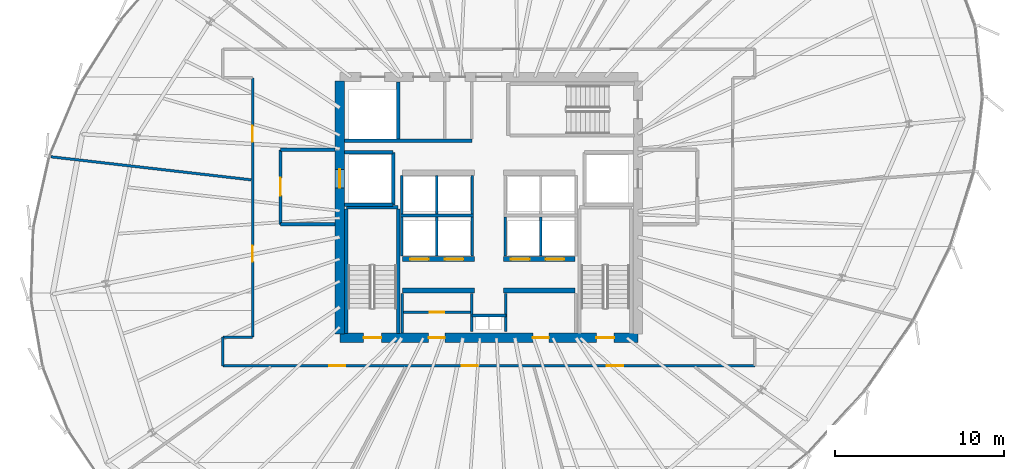
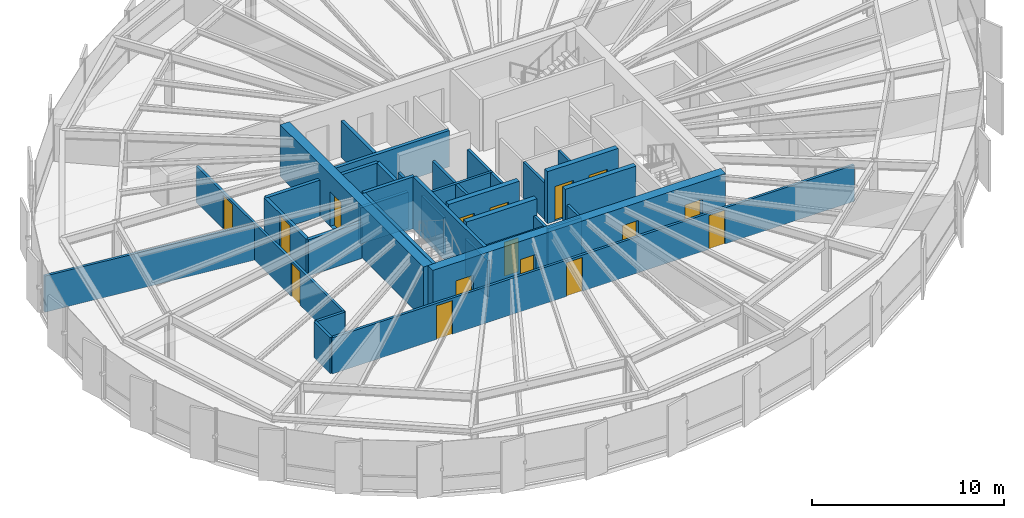
# One storey, part 29 of 35: 36 walls, 16 doors, 16 openings.
"""IFC4 building model written with IfcOpenShell, lengths in metres."""

from ifc_helpers import new_model, si_unit, direction, frame, frame_2d, origin, place, context, subcontext, project, spatial, rectangle, extrude, source, transform, mapped, material, layer, layer_set, type_object, element, fill, save


model = new_model("IFC4")

# Units and contexts
model_context = context("Model", 3, precision=1e-05, world=origin(), true_north=direction((0.0, 1.0)))
body_context = subcontext(model_context, "Body", "Model", "MODEL_VIEW")
ifc_project = project(units=[si_unit("LENGTHUNIT", "METRE"), si_unit("AREAUNIT", "SQUARE_METRE"), si_unit("VOLUMEUNIT", "CUBIC_METRE"), si_unit("PLANEANGLEUNIT", "RADIAN"), si_unit("MASSUNIT", "GRAM", prefix="KILO"), si_unit("THERMODYNAMICTEMPERATUREUNIT", "KELVIN")], contexts=[model_context])

# Site, building, storey
site_placement = place(None, origin())
site = spatial("IfcSite", under=ifc_project, at=site_placement, CompositionType="ELEMENT")
building_placement = place(site_placement, origin())
building = spatial("IfcBuilding", under=site, at=building_placement, Name="Kethvar Cultural Tower", CompositionType="ELEMENT")
storey_placement = place(building_placement, frame((0.0, 0.0, 146.550048828125)))
storey = spatial("IfcBuildingStorey", under=building, at=storey_placement, Name="L37", CompositionType="ELEMENT", Elevation=146.550048828125)

# Wall, openings, doors
ifc_material_1 = material(Name="Concrete C60/75", Category="concrete")
ifc_layer_1 = layer(ifc_material_1, 0.550048828125, Name="Concrete C60/75", Category="concrete")
ifc_layer_set_1 = layer_set([ifc_layer_1], Name="Concrete C60/75 (550 mm)")
wall_type_1 = type_object("IfcWallType", Name="WL-CORE-550", PredefinedType="SHEAR", material=ifc_layer_set_1)
wall_1_placement = place(storey_placement, frame((38.0, 20.10009765625, 0.0), z_axis=(0.0, 0.0, 1.0), x_axis=(1.0, 0.0, 0.0)))
wall_1 = element("IfcWall", 1, at=wall_1_placement, inside=storey, type_object=wall_type_1, Name="L37 Core Shear Wall S", PredefinedType="SHEAR", context=body_context, shape_type="SweptSolid", body=[
    extrude(rectangle(XDim=17.60009765625, YDim=0.550048828125, at=frame_2d((8.800048828125, 0.0))), origin(), (0.0, 0.0, 1.0), 3.300048828125),
])
opening_1_placement = place(wall_1_placement, frame((1.39990234375, 0.0, 0.0)))
opening_1 = element("IfcOpeningElement", 2, at=opening_1_placement, cuts=wall_1, Name="Opening D-L37-S1", PredefinedType="OPENING", context=body_context, shape_type="SweptSolid", body=[
    extrude(rectangle(XDim=1.050048828125, YDim=2.14990234375, at=frame_2d((0.52490234375, 1.074951171875))), frame((0.0, 0.284912109375, 0.0), z_axis=(0.0, -1.0, 0.0), x_axis=(1.0, 0.0, 0.0)), (0.0, 0.0, 1.0), 0.570068359375),
])
opening_2_placement = place(wall_1_placement, frame((15.14990234375, 0.0, 0.0)))
opening_2 = element("IfcOpeningElement", 3, at=opening_2_placement, cuts=wall_1, Name="Opening D-L37-ST2", PredefinedType="OPENING", context=body_context, shape_type="SweptSolid", body=[
    extrude(rectangle(XDim=1.050048828125, YDim=2.14990234375, at=frame_2d((0.52490234375, 1.074951171875))), frame((0.0, 0.284912109375, 0.0), z_axis=(0.0, -1.0, 0.0), x_axis=(1.0, 0.0, 0.0)), (0.0, 0.0, 1.0), 0.570068359375),
])
opening_3_placement = place(wall_1_placement, frame((5.25, 0.0, 0.0)))
opening_3 = element("IfcOpeningElement", 4, at=opening_3_placement, cuts=wall_1, Name="Opening D-L37-V1", PredefinedType="OPENING", context=body_context, shape_type="SweptSolid", body=[
    extrude(rectangle(XDim=0.949951171875, YDim=2.14990234375, at=frame_2d((0.47509765625, 1.074951171875))), frame((0.0, 0.284912109375, 0.0), z_axis=(0.0, -1.0, 0.0), x_axis=(1.0, 0.0, 0.0)), (0.0, 0.0, 1.0), 0.570068359375),
])
opening_4_placement = place(wall_1_placement, frame((11.39990234375, 0.0, 0.0)))
opening_4 = element("IfcOpeningElement", 5, at=opening_4_placement, cuts=wall_1, Name="Opening D-L37-V2", PredefinedType="OPENING", context=body_context, shape_type="SweptSolid", body=[
    extrude(rectangle(XDim=0.949951171875, YDim=2.14990234375, at=frame_2d((0.47509765625, 1.074951171875))), frame((0.0, 0.284912109375, 0.0), z_axis=(0.0, -1.0, 0.0), x_axis=(1.0, 0.0, 0.0)), (0.0, 0.0, 1.0), 0.570068359375),
])
ifc_material_2 = material(Name="Steel S355J2", Category="steel")
door_type_1 = type_object("IfcDoorType", Name="DR-FD60-1050", OperationType="NOTDEFINED", PredefinedType="DOOR", material=ifc_material_2)
shared_shape_1 = source(origin(), body_context, "Body", "SweptSolid", [
    extrude(rectangle(XDim=1.050048828125, YDim=2.14990234375, at=frame_2d((0.52490234375, 1.074951171875))), frame((0.0, 0.02490234375, 0.0), z_axis=(0.0, -1.0, 0.0), x_axis=(1.0, 0.0, 0.0)), (0.0, 0.0, 1.0), 0.050048828125),
])
door_1_placement = place(opening_1_placement, origin())
door_1 = element("IfcDoor", 6, at=door_1_placement, inside=storey, type_object=door_type_1, Name="L37 Exit Stair 1 Door", OperationType="SINGLE_SWING_LEFT", OverallHeight=2.14990234375, OverallWidth=1.050048828125, PredefinedType="DOOR", context=body_context, shape_type="MappedRepresentation", body=[
    mapped(shared_shape_1, transform((0.0, 0.0, 0.0), scale=1.0)),
])
fill(opening_1, door_1)
door_2_placement = place(opening_2_placement, origin())
door_2 = element("IfcDoor", 7, at=door_2_placement, inside=storey, type_object=door_type_1, Name="L37 Exit Stair 2 Door", OperationType="SINGLE_SWING_RIGHT", OverallHeight=2.14990234375, OverallWidth=1.050048828125, PredefinedType="DOOR", context=body_context, shape_type="MappedRepresentation", body=[
    mapped(shared_shape_1, transform((0.0, 0.0, 0.0), scale=1.0)),
])
fill(opening_2, door_2)
ifc_material_3 = material(Name="Architectural Oak Timber", Category="wood")
door_type_2 = type_object("IfcDoorType", Name="DR-FD30-950", OperationType="NOTDEFINED", PredefinedType="DOOR", material=ifc_material_3)
shared_shape_2 = source(origin(), body_context, "Body", "SweptSolid", [
    extrude(rectangle(XDim=0.949951171875, YDim=2.14990234375, at=frame_2d((0.47509765625, 1.074951171875))), frame((0.0, 0.02490234375, 0.0), z_axis=(0.0, -1.0, 0.0), x_axis=(1.0, 0.0, 0.0)), (0.0, 0.0, 1.0), 0.050048828125),
])
door_3_placement = place(opening_3_placement, origin())
door_3 = element("IfcDoor", 8, at=door_3_placement, inside=storey, type_object=door_type_2, Name="L37 Reclaimed West South Door", OperationType="SINGLE_SWING_LEFT", OverallHeight=2.14990234375, OverallWidth=0.949951171875, PredefinedType="DOOR", context=body_context, shape_type="MappedRepresentation", body=[
    mapped(shared_shape_2, transform((0.0, 0.0, 0.0), scale=1.0)),
])
fill(opening_3, door_3)
door_4_placement = place(opening_4_placement, origin())
door_4 = element("IfcDoor", 9, at=door_4_placement, inside=storey, type_object=door_type_2, Name="L37 Reclaimed East Server Door", OperationType="SINGLE_SWING_RIGHT", OverallHeight=2.14990234375, OverallWidth=0.949951171875, PredefinedType="DOOR", context=body_context, shape_type="MappedRepresentation", body=[
    mapped(shared_shape_2, transform((0.0, 0.0, 0.0), scale=1.0)),
])
fill(opening_4, door_4)

# Wall, opening, door
wall_2_placement = place(storey_placement, frame((38.0, 35.260009765625, 0.0), z_axis=(0.0, 0.0, 1.0), x_axis=(0.0, -1.0, 0.0)))
wall_2 = element("IfcWall", 10, at=wall_2_placement, inside=storey, type_object=wall_type_1, Name="L37 Core Shear Wall W", PredefinedType="SHEAR", context=body_context, shape_type="SweptSolid", body=[
    extrude(rectangle(XDim=14.919921875, YDim=0.550048828125, at=frame_2d((7.4599609375, 0.0))), origin(), (0.0, 0.0, 1.0), 3.300048828125),
])
opening_5_placement = place(wall_2_placement, frame((5.2099609375, 0.0, 0.0)))
opening_5 = element("IfcOpeningElement", 11, at=opening_5_placement, cuts=wall_2, Name="Opening LD-1", PredefinedType="OPENING", context=body_context, shape_type="SweptSolid", body=[
    extrude(rectangle(XDim=1.10009765625, YDim=2.199951171875, at=frame_2d((0.550048828125, 1.10009765625))), frame((0.0, 0.284912109375, 0.0), z_axis=(0.0, -1.0, 0.0), x_axis=(1.0, 0.0, 0.0)), (0.0, 0.0, 1.0), 0.570068359375),
])
door_type_3 = type_object("IfcDoorType", Name="DR-LIFT-SLIDE-1100", OperationType="NOTDEFINED", PredefinedType="DOOR", material=ifc_material_2)
shared_shape_3 = source(origin(), body_context, "Body", "SweptSolid", [
    extrude(rectangle(XDim=1.10009765625, YDim=2.199951171875, at=frame_2d((0.550048828125, 1.10009765625))), frame((0.0, 0.02490234375, 0.0), z_axis=(0.0, -1.0, 0.0), x_axis=(1.0, 0.0, 0.0)), (0.0, 0.0, 1.0), 0.050048828125),
])
door_5_placement = place(opening_5_placement, origin())
door_5 = element("IfcDoor", 12, at=door_5_placement, inside=storey, type_object=door_type_3, Name="L37 Firefighting Lift Landing Door FFL-01", OperationType="SLIDING_TO_LEFT", OverallHeight=2.199951171875, OverallWidth=1.10009765625, PredefinedType="DOOR", context=body_context, shape_type="MappedRepresentation", body=[
    mapped(shared_shape_3, transform((0.0, 0.0, 0.0), scale=1.0)),
])
fill(opening_5, door_5)

# Walls
ifc_material_4 = material(Name="Gypsum Fireboard Partition")
ifc_layer_2 = layer(ifc_material_4, 0.14990234375, Name="Gypsum Fireboard Partition")
ifc_layer_set_2 = layer_set([ifc_layer_2], Name="Gypsum Fireboard Partition (150 mm)")
wall_type_2 = type_object("IfcWallType", Name="WL-FIRE-150", PredefinedType="PARTITIONING", material=ifc_layer_set_2)
wall_3_placement = place(storey_placement, frame((45.800048828125, 21.419921875, 0.0), z_axis=(0.0, 0.0, 1.0), x_axis=(1.0, 0.0, 0.0)))
element("IfcWall", 13, at=wall_3_placement, inside=storey, type_object=wall_type_2, Name="L37 Core Riser Wall", PredefinedType="PARTITIONING", context=body_context, shape_type="SweptSolid", body=[
    extrude(rectangle(XDim=2.0, YDim=0.14990234375, at=frame_2d((1.0, 0.0))), origin(), (0.0, 0.0, 1.0), 2.304931640625),
])
for number, where, z_axis, x_axis, name in (
    (14, (45.800048828125, 20.47998046875, 0.0), (0.0, 0.0, 1.0), (0.0, 1.0, 0.0), "L37 Core Riser West Wall"),
    (15, (47.800048828125, 20.47998046875, 0.0), (0.0, 0.0, 1.0), (0.0, 1.0, 0.0), "L37 Core Riser East Wall"),
):
    element("IfcWall", number, at=place(storey_placement, frame(where, z_axis=z_axis, x_axis=x_axis)), inside=storey, type_object=wall_type_2, Name=name, PredefinedType="PARTITIONING", context=body_context, shape_type="SweptSolid", body=[
        extrude(rectangle(XDim=2.239990234375, YDim=0.14990234375, at=frame_2d((1.1201171875, 0.0))), origin(), (0.0, 0.0, 1.0), 2.304931640625),
    ])
wall_4_placement = place(storey_placement, frame((41.679931640625, 20.385009765625, 0.0), z_axis=(0.0, 0.0, 1.0), x_axis=(0.0, 1.0, 0.0)))
element("IfcWall", 16, at=wall_4_placement, inside=storey, type_object=wall_type_2, Name="L37 Reclaimed West Outer Wall", PredefinedType="PARTITIONING", context=body_context, shape_type="SweptSolid", body=[
    extrude(rectangle(XDim=2.344970703125, YDim=0.14990234375, at=frame_2d((1.17236328125, 0.0))), origin(), (0.0, 0.0, 1.0), 2.304931640625),
])

# Wall, opening, door
wall_5_placement = place(storey_placement, frame((41.760009765625, 21.6201171875, 0.0), z_axis=(0.0, 0.0, 1.0), x_axis=(1.0, 0.0, 0.0)))
wall_5 = element("IfcWall", 17, at=wall_5_placement, inside=storey, type_object=wall_type_2, Name="L37 Vault Gallery Wall W", PredefinedType="PARTITIONING", context=body_context, shape_type="SweptSolid", body=[
    extrude(rectangle(XDim=3.9599609375, YDim=0.14990234375, at=frame_2d((1.97998046875, 0.0))), origin(), (0.0, 0.0, 1.0), 2.304931640625),
])
opening_6_placement = place(wall_5_placement, frame((1.550048828125, 0.0, 0.0)))
opening_6 = element("IfcOpeningElement", 18, at=opening_6_placement, cuts=wall_5, Name="Opening D-L37-V3", PredefinedType="OPENING", context=body_context, shape_type="SweptSolid", body=[
    extrude(rectangle(XDim=0.85009765625, YDim=2.14990234375, at=frame_2d((0.425048828125, 1.074951171875))), frame((0.0, 0.0849609375, 0.0), z_axis=(0.0, -1.0, 0.0), x_axis=(1.0, 0.0, 0.0)), (0.0, 0.0, 1.0), 0.169921875),
])
door_type_4 = type_object("IfcDoorType", Name="DR-FD30-850", OperationType="NOTDEFINED", PredefinedType="DOOR", material=ifc_material_2)
shared_shape_4 = source(origin(), body_context, "Body", "SweptSolid", [
    extrude(rectangle(XDim=0.85009765625, YDim=2.14990234375, at=frame_2d((0.425048828125, 1.074951171875))), frame((0.0, 0.02490234375, 0.0), z_axis=(0.0, -1.0, 0.0), x_axis=(1.0, 0.0, 0.0)), (0.0, 0.0, 1.0), 0.050048828125),
])
door_6_placement = place(opening_6_placement, origin())
door_6 = element("IfcDoor", 19, at=door_6_placement, inside=storey, type_object=door_type_4, Name="L37 Inner Vault Gallery Door", OperationType="SINGLE_SWING_LEFT", OverallHeight=2.14990234375, OverallWidth=0.85009765625, PredefinedType="DOOR", context=body_context, shape_type="MappedRepresentation", body=[
    mapped(shared_shape_4, transform((0.0, 0.0, 0.0), scale=1.0)),
])
fill(opening_6, door_6)

# Walls
wall_6_placement = place(storey_placement, frame((41.580078125, 27.324951171875, 0.0), z_axis=(0.0, 0.0, 1.0), x_axis=(1.0, 0.0, 0.0)))
element("IfcWall", 20, at=wall_6_placement, inside=storey, type_object=wall_type_2, Name="L37 Mid-High Lift Shaft Back Wall W", PredefinedType="PARTITIONING", context=body_context, shape_type="SweptSolid", body=[
    extrude(rectangle(XDim=4.31982421875, YDim=0.14990234375, at=frame_2d((2.159912109375, 0.0))), origin(), (0.0, 0.0, 1.0), 2.304931640625),
])
for number, where, z_axis, x_axis, name in (
    (21, (41.64990234375, 24.919921875, 0.0), (0.0, 0.0, 1.0), (0.0, 1.0, 0.0), "L37 Mid-Rise Lift Shaft Outer Wall W"),
    (22, (43.72509765625, 24.919921875, 0.0), (0.0, 0.0, 1.0), (0.0, 1.0, 0.0), "L37 Mid-Rise Lift Shaft Divider W"),
    (23, (45.824951171875, 24.919921875, 0.0), (0.0, 0.0, 1.0), (0.0, 1.0, 0.0), "L37 Mid-Rise Lift Shaft Concourse Wall W"),
    (24, (47.77490234375, 24.919921875, 0.0), (0.0, 0.0, 1.0), (0.0, 1.0, 0.0), "L37 Mid-Rise Lift Shaft Concourse Wall E"),
    (25, (49.875, 24.919921875, 0.0), (0.0, 0.0, 1.0), (0.0, 1.0, 0.0), "L37 Mid-Rise Lift Shaft Divider E"),
):
    element("IfcWall", number, at=place(storey_placement, frame(where, z_axis=z_axis, x_axis=x_axis)), inside=storey, type_object=wall_type_2, Name=name, PredefinedType="PARTITIONING", context=body_context, shape_type="SweptSolid", body=[
        extrude(rectangle(XDim=2.320068359375, YDim=0.14990234375, at=frame_2d((1.16015625, 0.0))), origin(), (0.0, 0.0, 1.0), 2.304931640625),
    ])
for number, where, z_axis, x_axis, name in (
    (26, (41.64990234375, 27.409912109375, 0.0), (0.0, 0.0, 1.0), (0.0, 1.0, 0.0), "L37 High-Rise Lift Shaft Outer Wall W"),
    (27, (43.72509765625, 27.409912109375, 0.0), (0.0, 0.0, 1.0), (0.0, 1.0, 0.0), "L37 High-Rise Lift Shaft Divider W"),
    (28, (45.824951171875, 27.409912109375, 0.0), (0.0, 0.0, 1.0), (0.0, 1.0, 0.0), "L37 High-Rise Lift Shaft Concourse Wall W"),
):
    element("IfcWall", number, at=place(storey_placement, frame(where, z_axis=z_axis, x_axis=x_axis)), inside=storey, type_object=wall_type_2, Name=name, PredefinedType="PARTITIONING", context=body_context, shape_type="SweptSolid", body=[
        extrude(rectangle(XDim=2.27001953125, YDim=0.14990234375, at=frame_2d((1.135009765625, 0.0))), origin(), (0.0, 0.0, 1.0), 2.304931640625),
    ])

# Wall, openings, doors
wall_7_placement = place(storey_placement, frame((31.10009765625, 18.449951171875, 0.0), z_axis=(0.0, 0.0, 1.0), x_axis=(1.0, 0.0, 0.0)))
wall_7 = element("IfcWall", 29, at=wall_7_placement, inside=storey, type_object=wall_type_2, Name="L37 Corridor Rated Wall S", PredefinedType="PARTITIONING", context=body_context, shape_type="SweptSolid", body=[
    extrude(rectangle(XDim=31.39990234375, YDim=0.14990234375, at=frame_2d((15.699951171875, 0.0))), origin(), (0.0, 0.0, 1.0), 2.304931640625),
])
opening_7_placement = place(wall_7_placement, frame((6.28076171875, 0.0, 0.0)))
opening_7 = element("IfcOpeningElement", 30, at=opening_7_placement, cuts=wall_7, Name="Opening D-L37-01", PredefinedType="OPENING", context=body_context, shape_type="SweptSolid", body=[
    extrude(rectangle(XDim=0.949951171875, YDim=2.14990234375, at=frame_2d((0.47509765625, 1.074951171875))), frame((0.0, 0.0849609375, 0.0), z_axis=(0.0, -1.0, 0.0), x_axis=(1.0, 0.0, 0.0)), (0.0, 0.0, 1.0), 0.169921875),
])
opening_8_placement = place(wall_7_placement, frame((14.09033203125, 0.0, 0.0)))
opening_8 = element("IfcOpeningElement", 31, at=opening_8_placement, cuts=wall_7, Name="Opening D-L37-02", PredefinedType="OPENING", context=body_context, shape_type="SweptSolid", body=[
    extrude(rectangle(XDim=0.949951171875, YDim=2.14990234375, at=frame_2d((0.47509765625, 1.074951171875))), frame((0.0, 0.0849609375, 0.0), z_axis=(0.0, -1.0, 0.0), x_axis=(1.0, 0.0, 0.0)), (0.0, 0.0, 1.0), 0.169921875),
])
opening_9_placement = place(wall_7_placement, frame((22.673583984375, 0.0, 0.0)))
opening_9 = element("IfcOpeningElement", 32, at=opening_9_placement, cuts=wall_7, Name="Opening D-L37-03", PredefinedType="OPENING", context=body_context, shape_type="SweptSolid", body=[
    extrude(rectangle(XDim=0.949951171875, YDim=2.14990234375, at=frame_2d((0.47509765625, 1.074951171875))), frame((0.0, 0.0849609375, 0.0), z_axis=(0.0, -1.0, 0.0), x_axis=(1.0, 0.0, 0.0)), (0.0, 0.0, 1.0), 0.169921875),
])
door_7_placement = place(opening_7_placement, origin())
door_7 = element("IfcDoor", 33, at=door_7_placement, inside=storey, type_object=door_type_2, Name="L37 Compact Archival Store 01 Door", OperationType="SINGLE_SWING_RIGHT", OverallHeight=2.14990234375, OverallWidth=0.949951171875, PredefinedType="DOOR", context=body_context, shape_type="MappedRepresentation", body=[
    mapped(shared_shape_2, transform((0.0, 0.0, 0.0), scale=1.0)),
])
fill(opening_7, door_7)
door_8_placement = place(opening_8_placement, origin())
door_8 = element("IfcDoor", 34, at=door_8_placement, inside=storey, type_object=door_type_2, Name="L37 Rare Folio Storage 02 Door", OperationType="SINGLE_SWING_LEFT", OverallHeight=2.14990234375, OverallWidth=0.949951171875, PredefinedType="DOOR", context=body_context, shape_type="MappedRepresentation", body=[
    mapped(shared_shape_2, transform((0.0, 0.0, 0.0), scale=1.0)),
])
fill(opening_8, door_8)
door_9_placement = place(opening_9_placement, origin())
door_9 = element("IfcDoor", 35, at=door_9_placement, inside=storey, type_object=door_type_2, Name="L37 Publication Archive Store 03 Door", OperationType="SINGLE_SWING_RIGHT", OverallHeight=2.14990234375, OverallWidth=0.949951171875, PredefinedType="DOOR", context=body_context, shape_type="MappedRepresentation", body=[
    mapped(shared_shape_2, transform((0.0, 0.0, 0.0), scale=1.0)),
])
fill(opening_9, door_9)

wall_8_placement = place(storey_placement, frame((32.85009765625, 35.449951171875, 0.0), z_axis=(0.0, 0.0, 1.0), x_axis=(0.0, -1.0, 0.0)))
wall_8 = element("IfcWall", 36, at=wall_8_placement, inside=storey, type_object=wall_type_2, Name="L37 Corridor Rated Wall WM", PredefinedType="PARTITIONING", context=body_context, shape_type="SweptSolid", body=[
    extrude(rectangle(XDim=15.300048828125, YDim=0.14990234375, at=frame_2d((7.64990234375, 0.0))), origin(), (0.0, 0.0, 1.0), 2.304931640625),
])
opening_10_placement = place(wall_8_placement, frame((2.830078125, 0.0, 0.0)))
opening_10 = element("IfcOpeningElement", 37, at=opening_10_placement, cuts=wall_8, Name="Opening D-L37-10", PredefinedType="OPENING", context=body_context, shape_type="SweptSolid", body=[
    extrude(rectangle(XDim=0.949951171875, YDim=2.14990234375, at=frame_2d((0.47509765625, 1.074951171875))), frame((0.0, 0.0849609375, 0.0), z_axis=(0.0, -1.0, 0.0), x_axis=(1.0, 0.0, 0.0)), (0.0, 0.0, 1.0), 0.169921875),
])
opening_11_placement = place(wall_8_placement, frame((9.899169921875, 0.0, 0.0)))
opening_11 = element("IfcOpeningElement", 38, at=opening_11_placement, cuts=wall_8, Name="Opening D-L37-11", PredefinedType="OPENING", context=body_context, shape_type="SweptSolid", body=[
    extrude(rectangle(XDim=0.949951171875, YDim=2.14990234375, at=frame_2d((0.47509765625, 1.074951171875))), frame((0.0, 0.0849609375, 0.0), z_axis=(0.0, -1.0, 0.0), x_axis=(1.0, 0.0, 0.0)), (0.0, 0.0, 1.0), 0.169921875),
])
door_10_placement = place(opening_10_placement, origin())
door_10 = element("IfcDoor", 39, at=door_10_placement, inside=storey, type_object=door_type_2, Name="L37 Delegation Briefing Foyer 10 Door", OperationType="SINGLE_SWING_LEFT", OverallHeight=2.14990234375, OverallWidth=0.949951171875, PredefinedType="DOOR", context=body_context, shape_type="MappedRepresentation", body=[
    mapped(shared_shape_2, transform((0.0, 0.0, 0.0), scale=1.0)),
])
fill(opening_10, door_10)
door_11_placement = place(opening_11_placement, origin())
door_11 = element("IfcDoor", 40, at=door_11_placement, inside=storey, type_object=door_type_2, Name="L37 Executive Boardroom 11 Door", OperationType="SINGLE_SWING_RIGHT", OverallHeight=2.14990234375, OverallWidth=0.949951171875, PredefinedType="DOOR", context=body_context, shape_type="MappedRepresentation", body=[
    mapped(shared_shape_2, transform((0.0, 0.0, 0.0), scale=1.0)),
])
fill(opening_11, door_11)

# Walls
wall_9_placement = place(storey_placement, frame((32.85009765625, 20.14990234375, 0.0), z_axis=(0.0, 0.0, 1.0), x_axis=(-1.0, 0.0, 0.0)))
element("IfcWall", 41, at=wall_9_placement, inside=storey, type_object=wall_type_2, Name="L37 Corridor Rated Wall WST", PredefinedType="PARTITIONING", context=body_context, shape_type="SweptSolid", body=[
    extrude(rectangle(XDim=1.75, YDim=0.14990234375, at=frame_2d((0.875, 0.0))), origin(), (0.0, 0.0, 1.0), 2.304931640625),
])
wall_10_placement = place(storey_placement, frame((31.10009765625, 20.14990234375, 0.0), z_axis=(0.0, 0.0, 1.0), x_axis=(0.0, -1.0, 0.0)))
element("IfcWall", 42, at=wall_10_placement, inside=storey, type_object=wall_type_2, Name="L37 Corridor Rated Wall WS", PredefinedType="PARTITIONING", context=body_context, shape_type="SweptSolid", body=[
    extrude(rectangle(XDim=1.699951171875, YDim=0.14990234375, at=frame_2d((0.85009765625, 0.0))), origin(), (0.0, 0.0, 1.0), 2.304931640625),
])
ifc_material_5 = material(Name="Concrete C40/50", Category="concrete")
ifc_layer_3 = layer(ifc_material_5, 0.199951171875, Name="Concrete C40/50", Category="concrete")
ifc_layer_set_3 = layer_set([ifc_layer_3], Name="Concrete C40/50 (200 mm)")
wall_type_3 = type_object("IfcWallType", Name="WL-FIRE-200", PredefinedType="PARTITIONING", material=ifc_layer_set_3)
wall_11_placement = place(storey_placement, frame((41.14990234375, 27.949951171875, 0.0), z_axis=(0.0, 0.0, 1.0), x_axis=(0.0, 1.0, 0.0)))
element("IfcWall", 43, at=wall_11_placement, inside=storey, type_object=wall_type_3, Name="L37 FFL-01 Shaft Inner Wall", PredefinedType="PARTITIONING", context=body_context, shape_type="SweptSolid", body=[
    extrude(rectangle(XDim=3.10009765625, YDim=0.199951171875, at=frame_2d((1.550048828125, 0.0))), origin(), (0.0, 0.0, 1.0), 2.304931640625),
])
for number, where, z_axis, x_axis, name in (
    (44, (38.284912109375, 27.949951171875, 0.0), (0.0, 0.0, 1.0), (1.0, 0.0, 0.0), "L37 FFL-01 Shaft South Wall"),
    (45, (38.284912109375, 31.050048828125, 0.0), (0.0, 0.0, 1.0), (1.0, 0.0, 0.0), "L37 FFL-01 Shaft North Wall"),
):
    element("IfcWall", number, at=place(storey_placement, frame(where, z_axis=z_axis, x_axis=x_axis)), inside=storey, type_object=wall_type_3, Name=name, PredefinedType="PARTITIONING", context=body_context, shape_type="SweptSolid", body=[
        extrude(rectangle(XDim=2.864990234375, YDim=0.199951171875, at=frame_2d((1.4326171875, 0.0))), origin(), (0.0, 0.0, 1.0), 2.304931640625),
    ])

# Wall, opening, door
wall_12_placement = place(storey_placement, frame((34.5, 31.199951171875, 0.0), z_axis=(0.0, 0.0, 1.0), x_axis=(0.0, -1.0, 0.0)))
wall_12 = element("IfcWall", 46, at=wall_12_placement, inside=storey, type_object=wall_type_3, Name="L37 Firefighting Lobby 1 Wall", PredefinedType="PARTITIONING", context=body_context, shape_type="SweptSolid", body=[
    extrude(rectangle(XDim=4.39990234375, YDim=0.199951171875, at=frame_2d((2.199951171875, 0.0))), origin(), (0.0, 0.0, 1.0), 2.304931640625),
])
opening_12_placement = place(wall_12_placement, frame((1.64990234375, 0.0, 0.0)))
opening_12 = element("IfcOpeningElement", 47, at=opening_12_placement, cuts=wall_12, Name="Opening D-L37-F1", PredefinedType="OPENING", context=body_context, shape_type="SweptSolid", body=[
    extrude(rectangle(XDim=1.050048828125, YDim=2.14990234375, at=frame_2d((0.52490234375, 1.074951171875))), frame((0.0, 0.10986328125, 0.0), z_axis=(0.0, -1.0, 0.0), x_axis=(1.0, 0.0, 0.0)), (0.0, 0.0, 1.0), 0.219970703125),
])
door_12_placement = place(opening_12_placement, origin())
door_12 = element("IfcDoor", 48, at=door_12_placement, inside=storey, type_object=door_type_1, Name="L37 Firefighting Lobby 1 Fire Door", OperationType="SINGLE_SWING_LEFT", OverallHeight=2.14990234375, OverallWidth=1.050048828125, PredefinedType="DOOR", context=body_context, shape_type="MappedRepresentation", body=[
    mapped(shared_shape_1, transform((0.0, 0.0, 0.0), scale=1.0)),
])
fill(opening_12, door_12)

# Walls
for number, where, z_axis, x_axis, name in (
    (49, (34.5, 26.800048828125, 0.0), (0.0, 0.0, 1.0), (1.0, 0.0, 0.0), "L37 FF Lobby 1 South Wall"),
    (50, (34.5, 31.199951171875, 0.0), (0.0, 0.0, 1.0), (1.0, 0.0, 0.0), "L37 FF Lobby 1 North Wall"),
):
    element("IfcWall", number, at=place(storey_placement, frame(where, z_axis=z_axis, x_axis=x_axis)), inside=storey, type_object=wall_type_3, Name=name, PredefinedType="PARTITIONING", context=body_context, shape_type="SweptSolid", body=[
        extrude(rectangle(XDim=3.215087890625, YDim=0.199951171875, at=frame_2d((1.607421875, 0.0))), origin(), (0.0, 0.0, 1.0), 2.304931640625),
    ])
wall_13_placement = place(storey_placement, frame((41.449951171875, 31.85009765625, 0.0), z_axis=(0.0, 0.0, 1.0), x_axis=(0.0, 1.0, 0.0)))
element("IfcWall", 51, at=wall_13_placement, inside=storey, type_object=wall_type_3, Name="L37 NW Core Pocket Wall", PredefinedType="PARTITIONING", context=body_context, shape_type="SweptSolid", body=[
    extrude(rectangle(XDim=3.364990234375, YDim=0.199951171875, at=frame_2d((1.6826171875, 0.0))), origin(), (0.0, 0.0, 1.0), 2.304931640625),
])
wall_14_placement = place(storey_placement, frame((38.284912109375, 31.72998046875, 0.0), z_axis=(0.0, 0.0, 1.0), x_axis=(1.0, 0.0, 0.0)))
element("IfcWall", 52, at=wall_14_placement, inside=storey, type_object=wall_type_3, Name="L37 North Core Sanitary South Wall", PredefinedType="PARTITIONING", context=body_context, shape_type="SweptSolid", body=[
    extrude(rectangle(XDim=7.51513671875, YDim=0.199951171875, at=frame_2d((3.757568359375, 0.0))), origin(), (0.0, 0.0, 1.0), 2.304931640625),
])
ifc_material_6 = material(Name="Gypsum Acoustic Partition")
ifc_layer_4 = layer(ifc_material_6, 0.14990234375, Name="Gypsum Acoustic Partition")
ifc_layer_set_4 = layer_set([ifc_layer_4], Name="Gypsum Acoustic Partition (150 mm)")
wall_type_4 = type_object("IfcWallType", Name="WL-PART-150", PredefinedType="PARTITIONING", material=ifc_layer_set_4)
wall_15_placement = place(storey_placement, frame((32.7705078125, 29.428955078125, 0.0), z_axis=(0.0, 0.0, 1.0), x_axis=(-0.993435617558, 0.114392629863, 0.0)))
element("IfcWall", 53, at=wall_15_placement, inside=storey, type_object=wall_type_4, Name="L37 Radial Partition Wall 11", PredefinedType="PARTITIONING", context=body_context, shape_type="SweptSolid", body=[
    extrude(rectangle(XDim=11.889892578125, YDim=0.14990234375, at=frame_2d((5.94482421875, 0.0))), origin(), (0.0, 0.0, 1.0), 2.304931640625),
])
ifc_material_7 = material(Name="Concrete C50/60", Category="concrete")
ifc_layer_5 = layer(ifc_material_7, 0.300048828125, Name="Concrete C50/60", Category="concrete")
ifc_layer_set_5 = layer_set([ifc_layer_5], Name="Concrete C50/60 (300 mm)")
wall_type_5 = type_object("IfcWallType", Name="WL-SHAFT-300", PredefinedType="SHEAR", material=ifc_layer_set_5)
for number, where, z_axis, x_axis, name in (
    (54, (41.699951171875, 22.89990234375, 0.0), (0.0, 0.0, 1.0), (1.0, 0.0, 0.0), "L37 Core Lift Spine Wall MID1W"),
    (55, (47.64990234375, 22.89990234375, 0.0), (0.0, 0.0, 1.0), (1.0, 0.0, 0.0), "L37 Core Lift Spine Wall MID1E"),
):
    element("IfcWall", number, at=place(storey_placement, frame(where, z_axis=z_axis, x_axis=x_axis)), inside=storey, type_object=wall_type_5, Name=name, PredefinedType="SHEAR", context=body_context, shape_type="SweptSolid", body=[
        extrude(rectangle(XDim=4.25, YDim=0.300048828125, at=frame_2d((2.125, 0.0))), origin(), (0.0, 0.0, 1.0), 3.300048828125),
    ])

# Wall, openings, doors
wall_16_placement = place(storey_placement, frame((41.699951171875, 24.75, 0.0), z_axis=(0.0, 0.0, 1.0), x_axis=(1.0, 0.0, 0.0)))
wall_16 = element("IfcWall", 56, at=wall_16_placement, inside=storey, type_object=wall_type_5, Name="L37 Core Lift Spine Wall MID2W", PredefinedType="SHEAR", context=body_context, shape_type="SweptSolid", body=[
    extrude(rectangle(XDim=4.25, YDim=0.300048828125, at=frame_2d((2.125, 0.0))), origin(), (0.0, 0.0, 1.0), 3.300048828125),
])
opening_13_placement = place(wall_16_placement, frame((0.449951171875, 0.0, 0.0)))
opening_13 = element("IfcOpeningElement", 57, at=opening_13_placement, cuts=wall_16, Name="Opening LD-M1", PredefinedType="OPENING", context=body_context, shape_type="SweptSolid", body=[
    extrude(rectangle(XDim=1.10009765625, YDim=2.199951171875, at=frame_2d((0.550048828125, 1.10009765625))), frame((0.0, 0.159912109375, 0.0), z_axis=(0.0, -1.0, 0.0), x_axis=(1.0, 0.0, 0.0)), (0.0, 0.0, 1.0), 0.320068359375),
])
opening_14_placement = place(wall_16_placement, frame((2.5, 0.0, 0.0)))
opening_14 = element("IfcOpeningElement", 58, at=opening_14_placement, cuts=wall_16, Name="Opening LD-M2", PredefinedType="OPENING", context=body_context, shape_type="SweptSolid", body=[
    extrude(rectangle(XDim=1.10009765625, YDim=2.199951171875, at=frame_2d((0.550048828125, 1.10009765625))), frame((0.0, 0.159912109375, 0.0), z_axis=(0.0, -1.0, 0.0), x_axis=(1.0, 0.0, 0.0)), (0.0, 0.0, 1.0), 0.320068359375),
])
door_13_placement = place(opening_13_placement, origin())
door_13 = element("IfcDoor", 59, at=door_13_placement, inside=storey, type_object=door_type_3, Name="L37 Mid-Rise Lift Landing Door M1", OperationType="SLIDING_TO_RIGHT", OverallHeight=2.199951171875, OverallWidth=1.10009765625, PredefinedType="DOOR", context=body_context, shape_type="MappedRepresentation", body=[
    mapped(shared_shape_3, transform((0.0, 0.0, 0.0), scale=1.0)),
])
fill(opening_13, door_13)
door_14_placement = place(opening_14_placement, origin())
door_14 = element("IfcDoor", 60, at=door_14_placement, inside=storey, type_object=door_type_3, Name="L37 Mid-Rise Lift Landing Door M2", OperationType="SLIDING_TO_RIGHT", OverallHeight=2.199951171875, OverallWidth=1.10009765625, PredefinedType="DOOR", context=body_context, shape_type="MappedRepresentation", body=[
    mapped(shared_shape_3, transform((0.0, 0.0, 0.0), scale=1.0)),
])
fill(opening_14, door_14)

wall_17_placement = place(storey_placement, frame((47.64990234375, 24.75, 0.0), z_axis=(0.0, 0.0, 1.0), x_axis=(1.0, 0.0, 0.0)))
wall_17 = element("IfcWall", 61, at=wall_17_placement, inside=storey, type_object=wall_type_5, Name="L37 Core Lift Spine Wall MID2E", PredefinedType="SHEAR", context=body_context, shape_type="SweptSolid", body=[
    extrude(rectangle(XDim=4.25, YDim=0.300048828125, at=frame_2d((2.125, 0.0))), origin(), (0.0, 0.0, 1.0), 3.300048828125),
])
opening_15_placement = place(wall_17_placement, frame((0.449951171875, 0.0, 0.0)))
opening_15 = element("IfcOpeningElement", 62, at=opening_15_placement, cuts=wall_17, Name="Opening LD-M3", PredefinedType="OPENING", context=body_context, shape_type="SweptSolid", body=[
    extrude(rectangle(XDim=1.10009765625, YDim=2.199951171875, at=frame_2d((0.550048828125, 1.10009765625))), frame((0.0, 0.159912109375, 0.0), z_axis=(0.0, -1.0, 0.0), x_axis=(1.0, 0.0, 0.0)), (0.0, 0.0, 1.0), 0.320068359375),
])
opening_16_placement = place(wall_17_placement, frame((2.5, 0.0, 0.0)))
opening_16 = element("IfcOpeningElement", 63, at=opening_16_placement, cuts=wall_17, Name="Opening LD-M4", PredefinedType="OPENING", context=body_context, shape_type="SweptSolid", body=[
    extrude(rectangle(XDim=1.10009765625, YDim=2.199951171875, at=frame_2d((0.550048828125, 1.10009765625))), frame((0.0, 0.159912109375, 0.0), z_axis=(0.0, -1.0, 0.0), x_axis=(1.0, 0.0, 0.0)), (0.0, 0.0, 1.0), 0.320068359375),
])
door_15_placement = place(opening_15_placement, origin())
door_15 = element("IfcDoor", 64, at=door_15_placement, inside=storey, type_object=door_type_3, Name="L37 Mid-Rise Lift Landing Door M3", OperationType="SLIDING_TO_RIGHT", OverallHeight=2.199951171875, OverallWidth=1.10009765625, PredefinedType="DOOR", context=body_context, shape_type="MappedRepresentation", body=[
    mapped(shared_shape_3, transform((0.0, 0.0, 0.0), scale=1.0)),
])
fill(opening_15, door_15)
door_16_placement = place(opening_16_placement, origin())
door_16 = element("IfcDoor", 65, at=door_16_placement, inside=storey, type_object=door_type_3, Name="L37 Mid-Rise Lift Landing Door M4", OperationType="SLIDING_TO_RIGHT", OverallHeight=2.199951171875, OverallWidth=1.10009765625, PredefinedType="DOOR", context=body_context, shape_type="MappedRepresentation", body=[
    mapped(shared_shape_3, transform((0.0, 0.0, 0.0), scale=1.0)),
])
fill(opening_16, door_16)

# Walls
ifc_layer_6 = layer(ifc_material_7, 0.199951171875, Name="Concrete C50/60", Category="concrete")
ifc_layer_set_6 = layer_set([ifc_layer_6], Name="Concrete C50/60 (200 mm)")
wall_type_6 = type_object("IfcWallType", Name="WL-STSHAFT-200", PredefinedType="SHEAR", material=ifc_layer_set_6)
wall_18_placement = place(storey_placement, frame((38.389892578125, 27.800048828125, 0.0), z_axis=(0.0, 0.0, 1.0), x_axis=(1.0, 0.0, 0.0)))
element("IfcWall", 66, at=wall_18_placement, inside=storey, type_object=wall_type_6, Name="L37 ST-01 Stair Shaft Wall FAR", PredefinedType="SHEAR", context=body_context, shape_type="SweptSolid", body=[
    extrude(rectangle(XDim=3.06005859375, YDim=0.199951171875, at=frame_2d((1.530029296875, 0.0))), origin(), (0.0, 0.0, 1.0), 3.300048828125),
])
for number, where, z_axis, x_axis, name in (
    (67, (41.449951171875, 27.699951171875, 0.0), (0.0, 0.0, 1.0), (0.0, -1.0, 0.0), "L37 ST-01 Stair Shaft Wall LEFT"),
    (68, (38.389892578125, 20.35009765625, 0.0), (0.0, 0.0, 1.0), (0.0, 1.0, 0.0), "L37 ST-01 Stair Shaft Wall RIGHT"),
):
    element("IfcWall", number, at=place(storey_placement, frame(where, z_axis=z_axis, x_axis=x_axis)), inside=storey, type_object=wall_type_6, Name=name, PredefinedType="SHEAR", context=body_context, shape_type="SweptSolid", body=[
        extrude(rectangle(XDim=7.349853515625, YDim=0.199951171875, at=frame_2d((3.6748046875, 0.0))), origin(), (0.0, 0.0, 1.0), 3.300048828125),
    ])

save(model, "model.ifc")
